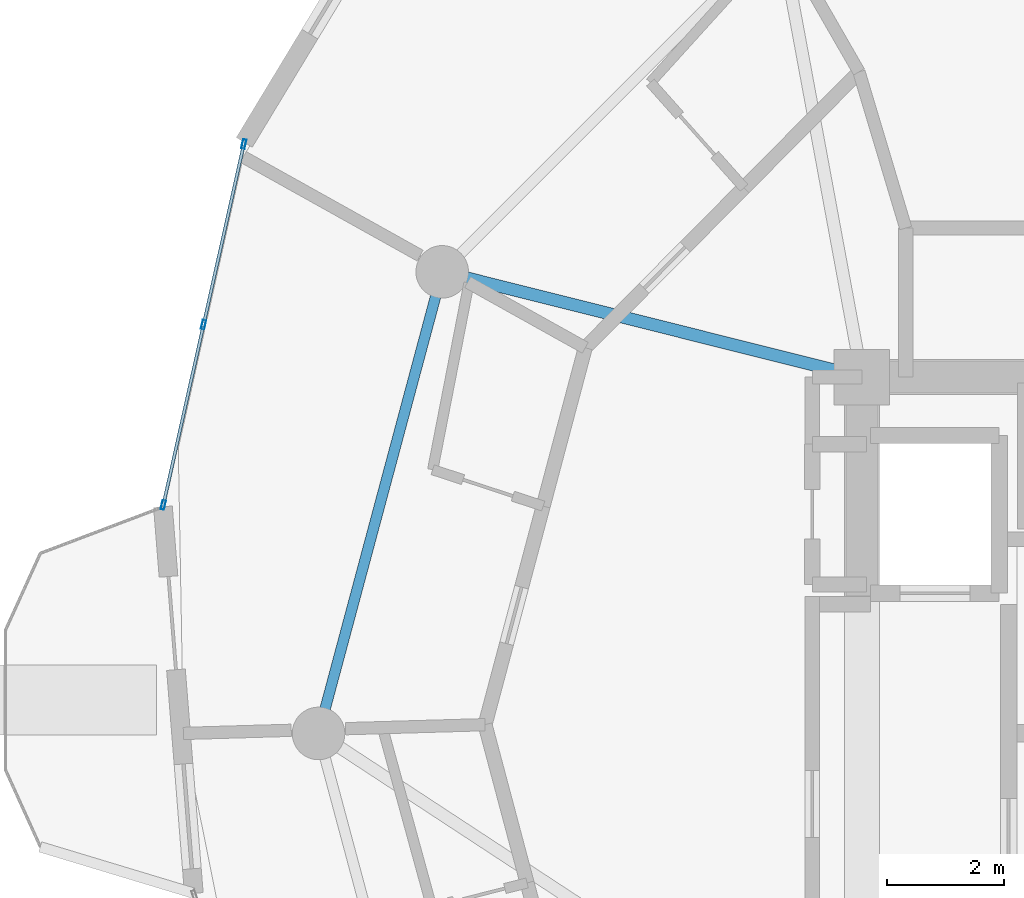
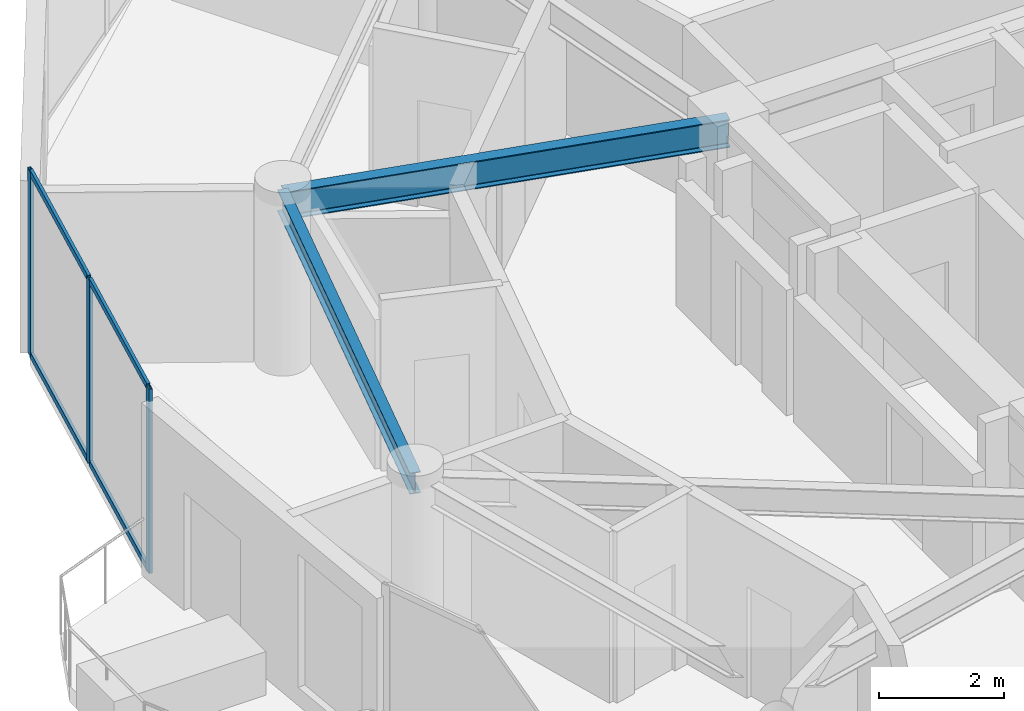
# One storey, part 8 of 20: 7 members, 2 beams, 1 element without a shape of its own.
"""IFC4 building model written with IfcOpenShell, lengths in metres."""

from ifc_helpers import new_model, si_unit, direction, frame, origin, origin_2d, place, context, subcontext, project, spatial, hollow_rectangle, i_section, extrude, source, transform, mapped, material, layer, layer_set, material_profile, profile_set, type_object, element, aggregate, save


model = new_model("IFC4")

# Units and contexts
model_context = context("Model", 3, precision=1e-05, world=origin(), true_north=direction((0.0, 1.0)))
body_context = subcontext(model_context, "Body", "Model", "MODEL_VIEW")
ifc_project = project(units=[si_unit("LENGTHUNIT", "METRE"), si_unit("AREAUNIT", "SQUARE_METRE"), si_unit("VOLUMEUNIT", "CUBIC_METRE"), si_unit("PLANEANGLEUNIT", "RADIAN"), si_unit("MASSUNIT", "GRAM", prefix="KILO")], contexts=[model_context])

# Site, building, storey
site_placement = place(None, origin())
site = spatial("IfcSite", under=ifc_project, at=site_placement, CompositionType="ELEMENT")
building_placement = place(site_placement, origin())
building = spatial("IfcBuilding", under=site, at=building_placement, Name="Solvirekh Grand Hotel", CompositionType="ELEMENT")
storey_placement = place(building_placement, frame((0.0, 0.0, 194.800048828125)))
storey = spatial("IfcBuildingStorey", under=building, at=storey_placement, Name="L50", CompositionType="ELEMENT", Elevation=194.800048828125)

# Beams
ifc_material_1 = material(Name="Steel S355", Category="steel")
ifc_material_profile_1 = material_profile(ifc_material_1, i_section(OverallWidth=0.2119140625, OverallDepth=0.5439453125, WebThickness=0.011962890625, FlangeThickness=0.01904296875, FilletRadius=0.013916015625, at=origin_2d()), Name="W530X123")
ifc_profile_set_1 = profile_set([ifc_material_profile_1], Name="Steel S355")
beam_type_1 = type_object("IfcBeamType", Name="Beam_Radial_W530H", PredefinedType="BEAM", material=ifc_profile_set_1)
beam_1_placement = place(storey_placement, frame((-6.5, 6.10009765625, 3.087890625), z_axis=(-0.970014367692, 0.243047580675, 0.0), x_axis=(-0.243047580675, -0.970014367692, 0.0)))
element("IfcBeam", 1, at=beam_1_placement, inside=storey, type_object=beam_type_1, Name="L50 radial floor beam R06", PredefinedType="BEAM", context=body_context, shape_type="SweptSolid", body=[
    extrude(i_section(OverallWidth=0.2119140625, OverallDepth=0.5439453125, WebThickness=0.011962890625, FlangeThickness=0.01904296875, FilletRadius=0.013916015625, at=origin_2d()), origin(), (0.0, 0.0, 1.0), 7.4052734375),
])
ifc_material_profile_2 = material_profile(ifc_material_1, i_section(OverallWidth=0.180908203125, OverallDepth=0.4169921875, WebThickness=0.010009765625, FlangeThickness=0.01611328125, FilletRadius=0.011962890625, at=origin_2d()), Name="W410X85")
ifc_profile_set_2 = profile_set([ifc_material_profile_2], Name="Steel S355")
beam_type_2 = type_object("IfcBeamType", Name="Spandrel_Ring_W410", PredefinedType="SPANDREL", material=ifc_profile_set_2)
beam_2_placement = place(storey_placement, frame((-13.68310546875, 7.89990234375, 3.15185546875), z_axis=(-0.258838541915, -0.965920601923, 0.0), x_axis=(0.965920601923, -0.258838541915, 0.0)))
element("IfcBeam", 2, at=beam_2_placement, inside=storey, type_object=beam_type_2, Name="L50 perimeter spandrel beam 6", PredefinedType="SPANDREL", context=body_context, shape_type="SweptSolid", body=[
    extrude(i_section(OverallWidth=0.180908203125, OverallDepth=0.4169921875, WebThickness=0.010009765625, FlangeThickness=0.01611328125, FilletRadius=0.011962890625, at=origin_2d()), origin(), (0.0, 0.0, 1.0), 8.1787109375),
])

# Curtain wall, members
ifc_material_2 = material(Name="Anodized Bronze Aluminium 6063-T6", Category="aluminium")
ifc_layer = layer(ifc_material_2, 0.159912109375)
ifc_layer_set = layer_set([ifc_layer], Name="Anodized Bronze Aluminium 6063-T6")
curtain_wall_type = type_object("IfcCurtainWallType", Name="CW_Sys4_HighZoneFlushBronzeCW", PredefinedType="NOTDEFINED", material=ifc_layer_set)
curtain_wall_placement = place(storey_placement, origin())
curtain_wall = element("IfcCurtainWall", 3, at=curtain_wall_placement, inside=storey, type_object=curtain_wall_type, Name="L50 unitised bronze-glass curtain wall CW-L50-C13", PredefinedType="NOTDEFINED")
ifc_material_profile_3 = material_profile(ifc_material_2, hollow_rectangle(XDim=0.054931640625, YDim=0.1201171875, WallThickness=0.00390625, at=origin_2d()), Name="ALU RHS 120X55X4")
ifc_profile_set_3 = profile_set([ifc_material_profile_3], Name="Anodized Bronze Aluminium 6063-T6")
member_type_1 = type_object("IfcMemberType", Name="CWTransom_Sys4", PredefinedType="USERDEFINED", material=ifc_profile_set_3)
shared_shape_1 = source(origin(), body_context, "Body", "SweptSolid", [
    extrude(hollow_rectangle(XDim=0.054931640625, YDim=0.1201171875, WallThickness=0.00390625, at=origin_2d()), origin(), (0.0, 0.0, 1.0), 3.104736328125),
])
member_1_placement = place(storey_placement, frame((-17.083984375, 10.057373046875, 0.02734375), z_axis=(-0.217904529729, -0.975970089666, 0.0), x_axis=(0.975970089666, -0.217904529729, 0.0)))
member_1 = element("IfcMember", 4, at=member_1_placement, type_object=member_type_1, Name="U04 transom 1.1", ObjectType="TRANSOM", PredefinedType="USERDEFINED", context=body_context, shape_type="MappedRepresentation", body=[
    mapped(shared_shape_1, transform((0.0, 0.0, 0.0), x_axis=(1.0, 0.0, 0.0), y_axis=(0.0, 1.0, 0.0), z_axis=(0.0, 0.0, 1.0), scale=1.0)),
])
member_2_placement = place(storey_placement, frame((-17.083984375, 10.057373046875, 3.572509765625), z_axis=(-0.217904529729, -0.975970089666, 0.0), x_axis=(0.975970089666, -0.217904529729, 0.0)))
member_2 = element("IfcMember", 5, at=member_2_placement, type_object=member_type_1, Name="U04 transom 1.2", ObjectType="TRANSOM", PredefinedType="USERDEFINED", context=body_context, shape_type="MappedRepresentation", body=[
    mapped(shared_shape_1, transform((0.0, 0.0, 0.0), x_axis=(1.0, 0.0, 0.0), y_axis=(0.0, 1.0, 0.0), z_axis=(0.0, 0.0, 1.0), scale=1.0)),
])
ifc_material_profile_4 = material_profile(ifc_material_2, hollow_rectangle(XDim=0.06005859375, YDim=0.159912109375, WallThickness=0.0048828125, at=origin_2d()), Name="ALU RHS 160X60X5")
ifc_profile_set_4 = profile_set([ifc_material_profile_4], Name="Anodized Bronze Aluminium 6063-T6")
member_type_2 = type_object("IfcMemberType", Name="CWMullion_Sys4", PredefinedType="MULLION", material=ifc_profile_set_4)
shared_shape_2 = source(origin(), body_context, "Body", "SweptSolid", [
    extrude(hollow_rectangle(XDim=0.06005859375, YDim=0.159912109375, WallThickness=0.0048828125, at=origin_2d()), origin(), (0.0, 0.0, 1.0), 3.599853515625),
])
member_3_placement = place(storey_placement, frame((-17.07763671875, 10.086669921875, 0.0), z_axis=(0.0, 0.0, 1.0), x_axis=(0.975980397521, -0.217858356861, 0.0)))
member_3 = element("IfcMember", 6, at=member_3_placement, type_object=member_type_2, Name="U04 mullion 1", PredefinedType="MULLION", context=body_context, shape_type="MappedRepresentation", body=[
    mapped(shared_shape_2, transform((0.0, 0.0, 0.0), x_axis=(1.0, 0.0, 0.0), y_axis=(0.0, 1.0, 0.0), z_axis=(0.0, 0.0, 1.0), scale=1.0)),
])
member_4_placement = place(storey_placement, frame((-17.76708984375, 6.998046875, 0.0), z_axis=(0.0, 0.0, 1.0), x_axis=(0.975980397521, -0.217858356861, 0.0)))
member_4 = element("IfcMember", 7, at=member_4_placement, type_object=member_type_2, Name="U04 mullion 2", PredefinedType="MULLION", context=body_context, shape_type="MappedRepresentation", body=[
    mapped(shared_shape_2, transform((0.0, 0.0, 0.0), x_axis=(1.0, 0.0, 0.0), y_axis=(0.0, 1.0, 0.0), z_axis=(0.0, 0.0, 1.0), scale=1.0)),
])
member_5_placement = place(storey_placement, frame((-18.45654296875, 3.9091796875, 0.0), z_axis=(0.0, 0.0, 1.0), x_axis=(0.975980397521, -0.217858356861, 0.0)))
member_5 = element("IfcMember", 8, at=member_5_placement, type_object=member_type_2, Name="U04 mullion 3", PredefinedType="MULLION", context=body_context, shape_type="MappedRepresentation", body=[
    mapped(shared_shape_2, transform((0.0, 0.0, 0.0), x_axis=(1.0, 0.0, 0.0), y_axis=(0.0, 1.0, 0.0), z_axis=(0.0, 0.0, 1.0), scale=1.0)),
])
shared_shape_3 = source(origin(), body_context, "Body", "SweptSolid", [
    extrude(hollow_rectangle(XDim=0.054931640625, YDim=0.1201171875, WallThickness=0.00390625, at=origin_2d()), origin(), (0.0, 0.0, 1.0), 3.10498046875),
])
member_6_placement = place(storey_placement, frame((-17.7734375, 6.96875, 0.02734375), z_axis=(-0.217887807275, -0.975973823133, 0.0), x_axis=(0.975973823133, -0.217887807275, 0.0)))
member_6 = element("IfcMember", 9, at=member_6_placement, type_object=member_type_1, Name="U04 transom 2.1", ObjectType="TRANSOM", PredefinedType="USERDEFINED", context=body_context, shape_type="MappedRepresentation", body=[
    mapped(shared_shape_3, transform((0.0, 0.0, 0.0), x_axis=(1.0, 0.0, 0.0), y_axis=(0.0, 1.0, 0.0), z_axis=(0.0, 0.0, 1.0), scale=1.0)),
])
member_7_placement = place(storey_placement, frame((-17.7734375, 6.96875, 3.572509765625), z_axis=(-0.217887807275, -0.975973823133, 0.0), x_axis=(0.975973823133, -0.217887807275, 0.0)))
member_7 = element("IfcMember", 10, at=member_7_placement, type_object=member_type_1, Name="U04 transom 2.2", ObjectType="TRANSOM", PredefinedType="USERDEFINED", context=body_context, shape_type="MappedRepresentation", body=[
    mapped(shared_shape_3, transform((0.0, 0.0, 0.0), x_axis=(1.0, 0.0, 0.0), y_axis=(0.0, 1.0, 0.0), z_axis=(0.0, 0.0, 1.0), scale=1.0)),
])
aggregate(curtain_wall, [member_3, member_4, member_5, member_1, member_2, member_6, member_7])

save(model, "model.ifc")
